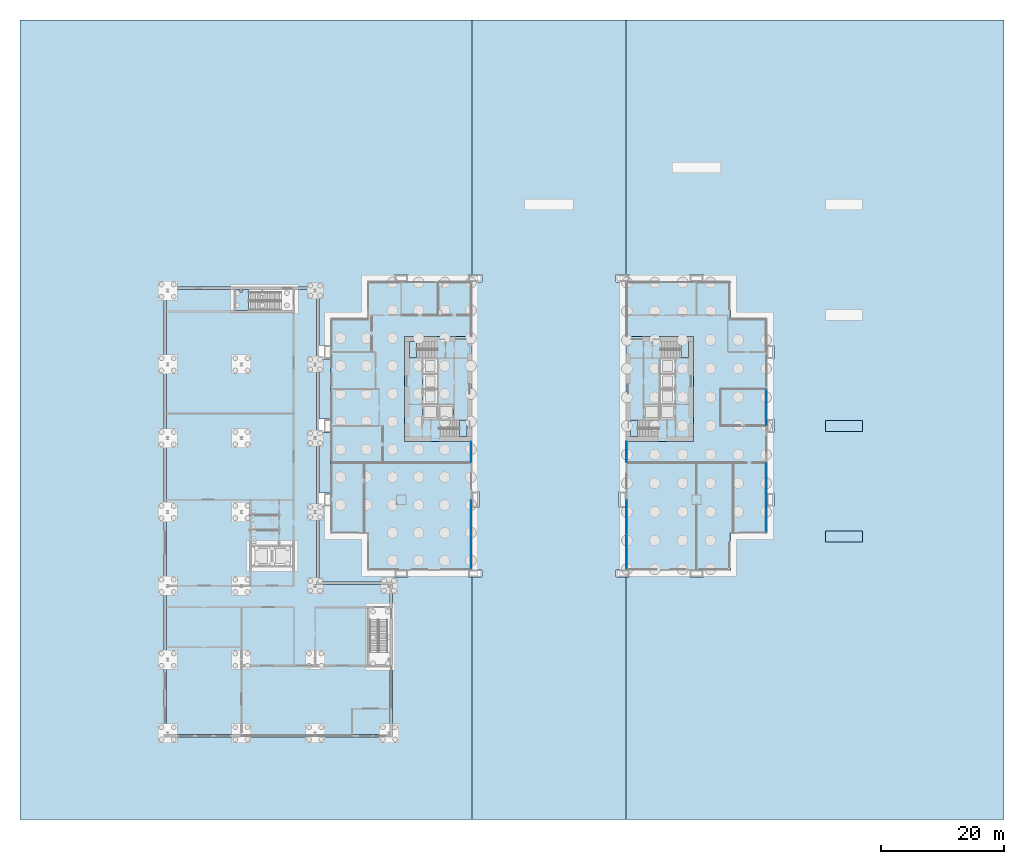
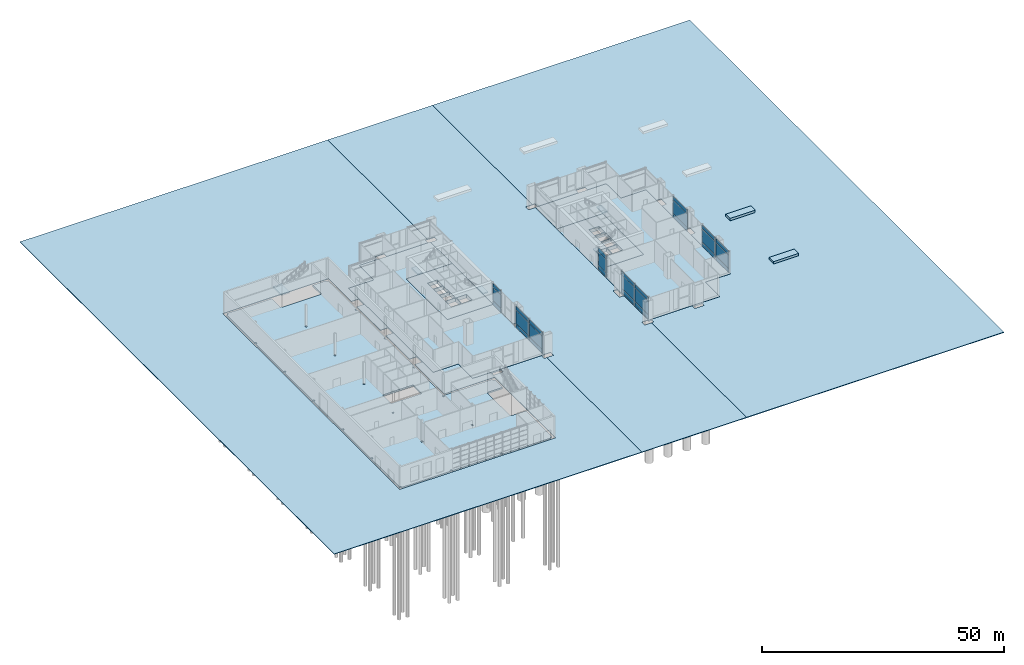
# One storey, part 16 of 29: 27 plates, 17 slabs, 11 elements without a shape of their own.
"""IFC4 building model written with IfcOpenShell, lengths in metres."""

from ifc_helpers import new_model, si_unit, direction, frame, origin, origin_2d, place, context, subcontext, project, spatial, polyline, rectangle, outline, extrude, material, layer, layer_set, type_object, element, aggregate, save


model = new_model("IFC4")

# Units and contexts
model_context = context("Model", 3, precision=1e-05, world=origin(), true_north=direction((0.0, 1.0)))
body_context = subcontext(model_context, "Body", "Model", "MODEL_VIEW")
ifc_project = project(units=[si_unit("LENGTHUNIT", "METRE"), si_unit("AREAUNIT", "SQUARE_METRE"), si_unit("VOLUMEUNIT", "CUBIC_METRE"), si_unit("PLANEANGLEUNIT", "RADIAN"), si_unit("MASSUNIT", "GRAM", prefix="KILO")], contexts=[model_context])

# Site, building, storey
site_placement = place(None, origin())
site = spatial("IfcSite", under=ifc_project, at=site_placement, CompositionType="ELEMENT")
building_placement = place(site_placement, origin())
building = spatial("IfcBuilding", under=site, at=building_placement, Name="Kitamizu Gate Tower and Museum", CompositionType="ELEMENT")
storey_placement = place(building_placement, origin())
storey = spatial("IfcBuildingStorey", under=building, at=storey_placement, Name="L00", CompositionType="ELEMENT", Elevation=0.0)

# Slabs
ifc_material_1 = material(Name="Concrete Fc60", Category="concrete")
ifc_layer_1 = layer(ifc_material_1, 0.89990234375)
ifc_layer_set_1 = layer_set([ifc_layer_1], Name="Concrete Fc60")
slab_type_1 = type_object("IfcSlabType", Name="Core ground slab 900", PredefinedType="FLOOR", material=ifc_layer_set_1)
slab_1_placement = place(storey_placement, frame((0.0, 0.0, -0.89990234375)))
element("IfcSlab", 1, at=slab_1_placement, inside=storey, type_object=slab_type_1, Name="Core ground slab W", PredefinedType="FLOOR", context=body_context, shape_type="SweptSolid", body=[
    extrude(outline(polyline([(12.5, 21.5), (23.5, 21.5), (23.5, 38.5), (12.5, 38.5), (12.5, 21.5)]), holes=[polyline([(15.5, 25.10009765625), (17.89990234375, 25.10009765625), (17.89990234375, 27.39990234375), (15.5, 27.39990234375), (15.5, 25.10009765625)]), polyline([(15.5, 27.60009765625), (17.89990234375, 27.60009765625), (17.89990234375, 29.89990234375), (15.5, 29.89990234375), (15.5, 27.60009765625)]), polyline([(15.5, 30.10009765625), (17.89990234375, 30.10009765625), (17.89990234375, 32.39990234375), (15.5, 32.39990234375), (15.5, 30.10009765625)]), polyline([(15.5, 32.60009765625), (17.89990234375, 32.60009765625), (17.89990234375, 34.89990234375), (15.5, 34.89990234375), (15.5, 32.60009765625)]), polyline([(18.10009765625, 25.10009765625), (20.5, 25.10009765625), (20.5, 27.39990234375), (18.10009765625, 27.39990234375), (18.10009765625, 25.10009765625)])]), origin(), (0.0, 0.0, 1.0), 0.89990234375),
])
slab_2_placement = place(storey_placement, frame((0.0, 0.0, -0.89990234375)))
element("IfcSlab", 2, at=slab_2_placement, inside=storey, type_object=slab_type_1, Name="Core ground slab E", PredefinedType="FLOOR", context=body_context, shape_type="SweptSolid", body=[
    extrude(outline(polyline([(48.5, 21.5), (59.5, 21.5), (59.5, 38.5), (48.5, 38.5), (48.5, 21.5)]), holes=[polyline([(54.10009765625, 25.10009765625), (56.5, 25.10009765625), (56.5, 27.39990234375), (54.10009765625, 27.39990234375), (54.10009765625, 25.10009765625)]), polyline([(54.10009765625, 27.60009765625), (56.5, 27.60009765625), (56.5, 29.89990234375), (54.10009765625, 29.89990234375), (54.10009765625, 27.60009765625)]), polyline([(54.10009765625, 30.10009765625), (56.5, 30.10009765625), (56.5, 32.39990234375), (54.10009765625, 32.39990234375), (54.10009765625, 30.10009765625)]), polyline([(54.10009765625, 32.60009765625), (56.5, 32.60009765625), (56.5, 34.89990234375), (54.10009765625, 34.89990234375), (54.10009765625, 32.60009765625)]), polyline([(51.5, 25.10009765625), (53.89990234375, 25.10009765625), (53.89990234375, 27.39990234375), (51.5, 27.39990234375), (51.5, 25.10009765625)])]), origin(), (0.0, 0.0, 1.0), 0.89990234375),
])

# Curtain wall, plates
ifc_material_2 = material(Name="Bronze anodised aluminium frame, tinted triple glazing", Category="aluminium")
curtain_wall_type = type_object("IfcCurtainWallType", Name="CURTAIN WALL TYPE A PODIUM", PredefinedType="NOTDEFINED", material=ifc_material_2)
curtain_wall_1_placement = place(storey_placement, origin())
curtain_wall_1 = element("IfcCurtainWall", 3, at=curtain_wall_1_placement, inside=storey, type_object=curtain_wall_type, Name="Curtain wall CW-A east L00", PredefinedType="NOTDEFINED")
ifc_material_3 = material(Name="Tinted insulating glass", Category="glass")
ifc_layer_2 = layer(ifc_material_3, 0.035888671875)
ifc_layer_set_2 = layer_set([ifc_layer_2], Name="Tinted insulating glass")
plate_type = type_object("IfcPlateType", Name="GLASS PANEL 36 TYPE A", PredefinedType="CURTAIN_PANEL", material=ifc_layer_set_2)
plate_1_placement = place(storey_placement, frame((23.364990234375, 3.554931640625, 0.080078125), z_axis=(0.0, 0.0, 1.0), x_axis=(0.0, 1.0, 0.0)))
plate_1 = element("IfcPlate", 4, at=plate_1_placement, type_object=plate_type, Name="CW-A panel 1.1", PredefinedType="CURTAIN_PANEL", context=body_context, shape_type="SweptSolid", body=[
    extrude(rectangle(XDim=5.510009765625, YDim=0.035888671875, at=origin_2d()), origin(), (0.0, 0.0, 1.0), 0.97998046875),
])
plate_2_placement = place(storey_placement, frame((23.364990234375, 3.554931640625, 1.14013671875), z_axis=(0.0, 0.0, 1.0), x_axis=(0.0, 1.0, 0.0)))
plate_2 = element("IfcPlate", 5, at=plate_2_placement, type_object=plate_type, Name="CW-A panel 1.2", PredefinedType="CURTAIN_PANEL", context=body_context, shape_type="SweptSolid", body=[
    extrude(rectangle(XDim=5.510009765625, YDim=0.035888671875, at=origin_2d()), origin(), (0.0, 0.0, 1.0), 3.320068359375),
])
plate_3_placement = place(storey_placement, frame((23.364990234375, 3.554931640625, 4.5400390625), z_axis=(0.0, 0.0, 1.0), x_axis=(0.0, 1.0, 0.0)))
plate_3 = element("IfcPlate", 6, at=plate_3_placement, type_object=plate_type, Name="CW-A panel 1.3", PredefinedType="CURTAIN_PANEL", context=body_context, shape_type="SweptSolid", body=[
    extrude(rectangle(XDim=5.510009765625, YDim=0.035888671875, at=origin_2d()), origin(), (0.0, 0.0, 1.0), 0.97998046875),
])
plate_4_placement = place(storey_placement, frame((23.364990234375, 9.155029296875, 0.080078125), z_axis=(0.0, 0.0, 1.0), x_axis=(0.0, 1.0, 0.0)))
plate_4 = element("IfcPlate", 7, at=plate_4_placement, type_object=plate_type, Name="CW-A panel 2.1", PredefinedType="CURTAIN_PANEL", context=body_context, shape_type="SweptSolid", body=[
    extrude(rectangle(XDim=5.510009765625, YDim=0.035888671875, at=origin_2d()), origin(), (0.0, 0.0, 1.0), 0.97998046875),
])
plate_5_placement = place(storey_placement, frame((23.364990234375, 9.155029296875, 1.14013671875), z_axis=(0.0, 0.0, 1.0), x_axis=(0.0, 1.0, 0.0)))
plate_5 = element("IfcPlate", 8, at=plate_5_placement, type_object=plate_type, Name="CW-A panel 2.2", PredefinedType="CURTAIN_PANEL", context=body_context, shape_type="SweptSolid", body=[
    extrude(rectangle(XDim=5.510009765625, YDim=0.035888671875, at=origin_2d()), origin(), (0.0, 0.0, 1.0), 3.320068359375),
])
plate_6_placement = place(storey_placement, frame((23.364990234375, 9.155029296875, 4.5400390625), z_axis=(0.0, 0.0, 1.0), x_axis=(0.0, 1.0, 0.0)))
plate_6 = element("IfcPlate", 9, at=plate_6_placement, type_object=plate_type, Name="CW-A panel 2.3", PredefinedType="CURTAIN_PANEL", context=body_context, shape_type="SweptSolid", body=[
    extrude(rectangle(XDim=5.510009765625, YDim=0.035888671875, at=origin_2d()), origin(), (0.0, 0.0, 1.0), 0.97998046875),
])
aggregate(curtain_wall_1, [plate_1, plate_2, plate_3, plate_4, plate_5, plate_6])

curtain_wall_2_placement = place(storey_placement, origin())
curtain_wall_2 = element("IfcCurtainWall", 10, at=curtain_wall_2_placement, inside=storey, type_object=curtain_wall_type, Name="Curtain wall CW-A east L00", PredefinedType="NOTDEFINED")
plate_7_placement = place(storey_placement, frame((23.364990234375, 19.75, 0.080078125), z_axis=(0.0, 0.0, 1.0), x_axis=(0.0, 1.0, 0.0)))
plate_7 = element("IfcPlate", 11, at=plate_7_placement, type_object=plate_type, Name="CW-A panel 1.1", PredefinedType="CURTAIN_PANEL", context=body_context, shape_type="SweptSolid", body=[
    extrude(rectangle(XDim=3.320068359375, YDim=0.035888671875, at=origin_2d()), origin(), (0.0, 0.0, 1.0), 0.97998046875),
])
plate_8_placement = place(storey_placement, frame((23.364990234375, 19.75, 1.14013671875), z_axis=(0.0, 0.0, 1.0), x_axis=(0.0, 1.0, 0.0)))
plate_8 = element("IfcPlate", 12, at=plate_8_placement, type_object=plate_type, Name="CW-A panel 1.2", PredefinedType="CURTAIN_PANEL", context=body_context, shape_type="SweptSolid", body=[
    extrude(rectangle(XDim=3.320068359375, YDim=0.035888671875, at=origin_2d()), origin(), (0.0, 0.0, 1.0), 3.320068359375),
])
plate_9_placement = place(storey_placement, frame((23.364990234375, 19.75, 4.5400390625), z_axis=(0.0, 0.0, 1.0), x_axis=(0.0, 1.0, 0.0)))
plate_9 = element("IfcPlate", 13, at=plate_9_placement, type_object=plate_type, Name="CW-A panel 1.3", PredefinedType="CURTAIN_PANEL", context=body_context, shape_type="SweptSolid", body=[
    extrude(rectangle(XDim=3.320068359375, YDim=0.035888671875, at=origin_2d()), origin(), (0.0, 0.0, 1.0), 0.97998046875),
])
aggregate(curtain_wall_2, [plate_7, plate_8, plate_9])

curtain_wall_3_placement = place(storey_placement, origin())
curtain_wall_3 = element("IfcCurtainWall", 14, at=curtain_wall_3_placement, inside=storey, type_object=curtain_wall_type, Name="Curtain wall CW-A west L00", PredefinedType="NOTDEFINED")
plate_10_placement = place(storey_placement, frame((48.635009765625, 3.554931640625, 0.080078125), z_axis=(0.0, 0.0, 1.0), x_axis=(0.0, 1.0, 0.0)))
plate_10 = element("IfcPlate", 15, at=plate_10_placement, type_object=plate_type, Name="CW-A panel 1.1", PredefinedType="CURTAIN_PANEL", context=body_context, shape_type="SweptSolid", body=[
    extrude(rectangle(XDim=5.510009765625, YDim=0.035888671875, at=origin_2d()), origin(), (0.0, 0.0, 1.0), 0.97998046875),
])
plate_11_placement = place(storey_placement, frame((48.635009765625, 3.554931640625, 1.14013671875), z_axis=(0.0, 0.0, 1.0), x_axis=(0.0, 1.0, 0.0)))
plate_11 = element("IfcPlate", 16, at=plate_11_placement, type_object=plate_type, Name="CW-A panel 1.2", PredefinedType="CURTAIN_PANEL", context=body_context, shape_type="SweptSolid", body=[
    extrude(rectangle(XDim=5.510009765625, YDim=0.035888671875, at=origin_2d()), origin(), (0.0, 0.0, 1.0), 3.320068359375),
])
plate_12_placement = place(storey_placement, frame((48.635009765625, 3.554931640625, 4.5400390625), z_axis=(0.0, 0.0, 1.0), x_axis=(0.0, 1.0, 0.0)))
plate_12 = element("IfcPlate", 17, at=plate_12_placement, type_object=plate_type, Name="CW-A panel 1.3", PredefinedType="CURTAIN_PANEL", context=body_context, shape_type="SweptSolid", body=[
    extrude(rectangle(XDim=5.510009765625, YDim=0.035888671875, at=origin_2d()), origin(), (0.0, 0.0, 1.0), 0.97998046875),
])
plate_13_placement = place(storey_placement, frame((48.635009765625, 9.155029296875, 0.080078125), z_axis=(0.0, 0.0, 1.0), x_axis=(0.0, 1.0, 0.0)))
plate_13 = element("IfcPlate", 18, at=plate_13_placement, type_object=plate_type, Name="CW-A panel 2.1", PredefinedType="CURTAIN_PANEL", context=body_context, shape_type="SweptSolid", body=[
    extrude(rectangle(XDim=5.510009765625, YDim=0.035888671875, at=origin_2d()), origin(), (0.0, 0.0, 1.0), 0.97998046875),
])
plate_14_placement = place(storey_placement, frame((48.635009765625, 9.155029296875, 1.14013671875), z_axis=(0.0, 0.0, 1.0), x_axis=(0.0, 1.0, 0.0)))
plate_14 = element("IfcPlate", 19, at=plate_14_placement, type_object=plate_type, Name="CW-A panel 2.2", PredefinedType="CURTAIN_PANEL", context=body_context, shape_type="SweptSolid", body=[
    extrude(rectangle(XDim=5.510009765625, YDim=0.035888671875, at=origin_2d()), origin(), (0.0, 0.0, 1.0), 3.320068359375),
])
plate_15_placement = place(storey_placement, frame((48.635009765625, 9.155029296875, 4.5400390625), z_axis=(0.0, 0.0, 1.0), x_axis=(0.0, 1.0, 0.0)))
plate_15 = element("IfcPlate", 20, at=plate_15_placement, type_object=plate_type, Name="CW-A panel 2.3", PredefinedType="CURTAIN_PANEL", context=body_context, shape_type="SweptSolid", body=[
    extrude(rectangle(XDim=5.510009765625, YDim=0.035888671875, at=origin_2d()), origin(), (0.0, 0.0, 1.0), 0.97998046875),
])
aggregate(curtain_wall_3, [plate_10, plate_11, plate_12, plate_13, plate_14, plate_15])

curtain_wall_4_placement = place(storey_placement, origin())
curtain_wall_4 = element("IfcCurtainWall", 21, at=curtain_wall_4_placement, inside=storey, type_object=curtain_wall_type, Name="Curtain wall CW-A west L00", PredefinedType="NOTDEFINED")
plate_16_placement = place(storey_placement, frame((48.635009765625, 19.75, 0.080078125), z_axis=(0.0, 0.0, 1.0), x_axis=(0.0, 1.0, 0.0)))
plate_16 = element("IfcPlate", 22, at=plate_16_placement, type_object=plate_type, Name="CW-A panel 1.1", PredefinedType="CURTAIN_PANEL", context=body_context, shape_type="SweptSolid", body=[
    extrude(rectangle(XDim=3.320068359375, YDim=0.035888671875, at=origin_2d()), origin(), (0.0, 0.0, 1.0), 0.97998046875),
])
plate_17_placement = place(storey_placement, frame((48.635009765625, 19.75, 1.14013671875), z_axis=(0.0, 0.0, 1.0), x_axis=(0.0, 1.0, 0.0)))
plate_17 = element("IfcPlate", 23, at=plate_17_placement, type_object=plate_type, Name="CW-A panel 1.2", PredefinedType="CURTAIN_PANEL", context=body_context, shape_type="SweptSolid", body=[
    extrude(rectangle(XDim=3.320068359375, YDim=0.035888671875, at=origin_2d()), origin(), (0.0, 0.0, 1.0), 3.320068359375),
])
plate_18_placement = place(storey_placement, frame((48.635009765625, 19.75, 4.5400390625), z_axis=(0.0, 0.0, 1.0), x_axis=(0.0, 1.0, 0.0)))
plate_18 = element("IfcPlate", 24, at=plate_18_placement, type_object=plate_type, Name="CW-A panel 1.3", PredefinedType="CURTAIN_PANEL", context=body_context, shape_type="SweptSolid", body=[
    extrude(rectangle(XDim=3.320068359375, YDim=0.035888671875, at=origin_2d()), origin(), (0.0, 0.0, 1.0), 0.97998046875),
])
aggregate(curtain_wall_4, [plate_16, plate_17, plate_18])

curtain_wall_5_placement = place(storey_placement, origin())
curtain_wall_5 = element("IfcCurtainWall", 25, at=curtain_wall_5_placement, inside=storey, type_object=curtain_wall_type, Name="Curtain wall CW-A east L00", PredefinedType="NOTDEFINED")
plate_19_placement = place(storey_placement, frame((71.364990234375, 9.554931640625, 0.080078125), z_axis=(0.0, 0.0, 1.0), x_axis=(0.0, 1.0, 0.0)))
plate_19 = element("IfcPlate", 26, at=plate_19_placement, type_object=plate_type, Name="CW-A panel 1.1", PredefinedType="CURTAIN_PANEL", context=body_context, shape_type="SweptSolid", body=[
    extrude(rectangle(XDim=5.510009765625, YDim=0.035888671875, at=origin_2d()), origin(), (0.0, 0.0, 1.0), 0.97998046875),
])
plate_20_placement = place(storey_placement, frame((71.364990234375, 9.554931640625, 1.14013671875), z_axis=(0.0, 0.0, 1.0), x_axis=(0.0, 1.0, 0.0)))
plate_20 = element("IfcPlate", 27, at=plate_20_placement, type_object=plate_type, Name="CW-A panel 1.2", PredefinedType="CURTAIN_PANEL", context=body_context, shape_type="SweptSolid", body=[
    extrude(rectangle(XDim=5.510009765625, YDim=0.035888671875, at=origin_2d()), origin(), (0.0, 0.0, 1.0), 3.320068359375),
])
plate_21_placement = place(storey_placement, frame((71.364990234375, 9.554931640625, 4.5400390625), z_axis=(0.0, 0.0, 1.0), x_axis=(0.0, 1.0, 0.0)))
plate_21 = element("IfcPlate", 28, at=plate_21_placement, type_object=plate_type, Name="CW-A panel 1.3", PredefinedType="CURTAIN_PANEL", context=body_context, shape_type="SweptSolid", body=[
    extrude(rectangle(XDim=5.510009765625, YDim=0.035888671875, at=origin_2d()), origin(), (0.0, 0.0, 1.0), 0.97998046875),
])
plate_22_placement = place(storey_placement, frame((71.364990234375, 15.155029296875, 0.080078125), z_axis=(0.0, 0.0, 1.0), x_axis=(0.0, 1.0, 0.0)))
plate_22 = element("IfcPlate", 29, at=plate_22_placement, type_object=plate_type, Name="CW-A panel 2.1", PredefinedType="CURTAIN_PANEL", context=body_context, shape_type="SweptSolid", body=[
    extrude(rectangle(XDim=5.510009765625, YDim=0.035888671875, at=origin_2d()), origin(), (0.0, 0.0, 1.0), 0.97998046875),
])
plate_23_placement = place(storey_placement, frame((71.364990234375, 15.155029296875, 1.14013671875), z_axis=(0.0, 0.0, 1.0), x_axis=(0.0, 1.0, 0.0)))
plate_23 = element("IfcPlate", 30, at=plate_23_placement, type_object=plate_type, Name="CW-A panel 2.2", PredefinedType="CURTAIN_PANEL", context=body_context, shape_type="SweptSolid", body=[
    extrude(rectangle(XDim=5.510009765625, YDim=0.035888671875, at=origin_2d()), origin(), (0.0, 0.0, 1.0), 3.320068359375),
])
plate_24_placement = place(storey_placement, frame((71.364990234375, 15.155029296875, 4.5400390625), z_axis=(0.0, 0.0, 1.0), x_axis=(0.0, 1.0, 0.0)))
plate_24 = element("IfcPlate", 31, at=plate_24_placement, type_object=plate_type, Name="CW-A panel 2.3", PredefinedType="CURTAIN_PANEL", context=body_context, shape_type="SweptSolid", body=[
    extrude(rectangle(XDim=5.510009765625, YDim=0.035888671875, at=origin_2d()), origin(), (0.0, 0.0, 1.0), 0.97998046875),
])
aggregate(curtain_wall_5, [plate_19, plate_20, plate_21, plate_22, plate_23, plate_24])

curtain_wall_6_placement = place(storey_placement, origin())
curtain_wall_6 = element("IfcCurtainWall", 32, at=curtain_wall_6_placement, inside=storey, type_object=curtain_wall_type, Name="Curtain wall CW-A east L00", PredefinedType="NOTDEFINED")
plate_25_placement = place(storey_placement, frame((71.364990234375, 27.0, 0.080078125), z_axis=(0.0, 0.0, 1.0), x_axis=(0.0, 1.0, 0.0)))
plate_25 = element("IfcPlate", 33, at=plate_25_placement, type_object=plate_type, Name="CW-A panel 1.1", PredefinedType="CURTAIN_PANEL", context=body_context, shape_type="SweptSolid", body=[
    extrude(rectangle(XDim=5.820068359375, YDim=0.035888671875, at=origin_2d()), origin(), (0.0, 0.0, 1.0), 0.97998046875),
])
plate_26_placement = place(storey_placement, frame((71.364990234375, 27.0, 1.14013671875), z_axis=(0.0, 0.0, 1.0), x_axis=(0.0, 1.0, 0.0)))
plate_26 = element("IfcPlate", 34, at=plate_26_placement, type_object=plate_type, Name="CW-A panel 1.2", PredefinedType="CURTAIN_PANEL", context=body_context, shape_type="SweptSolid", body=[
    extrude(rectangle(XDim=5.820068359375, YDim=0.035888671875, at=origin_2d()), origin(), (0.0, 0.0, 1.0), 3.320068359375),
])
plate_27_placement = place(storey_placement, frame((71.364990234375, 27.0, 4.5400390625), z_axis=(0.0, 0.0, 1.0), x_axis=(0.0, 1.0, 0.0)))
plate_27 = element("IfcPlate", 35, at=plate_27_placement, type_object=plate_type, Name="CW-A panel 1.3", PredefinedType="CURTAIN_PANEL", context=body_context, shape_type="SweptSolid", body=[
    extrude(rectangle(XDim=5.820068359375, YDim=0.035888671875, at=origin_2d()), origin(), (0.0, 0.0, 1.0), 0.97998046875),
])
aggregate(curtain_wall_6, [plate_25, plate_26, plate_27])

# Slabs
ifc_material_4 = material(Name="Concrete Fc36", Category="concrete")
ifc_layer_3 = layer(ifc_material_4, 0.39990234375)
ifc_layer_set_3 = layer_set([ifc_layer_3], Name="Concrete Fc36")
slab_type_2 = type_object("IfcSlabType", Name="Ground floor slab 400", PredefinedType="BASESLAB", material=ifc_layer_set_3)
slab_3_placement = place(storey_placement, frame((0.0, 0.0, -0.39990234375)))
element("IfcSlab", 36, at=slab_3_placement, inside=storey, type_object=slab_type_2, Name="Floor slab L00-1", PredefinedType="BASESLAB", context=body_context, shape_type="SweptSolid", body=[
    extrude(outline(polyline([(0.5, 41.5), (6.5, 41.5), (6.5, 47.5), (23.5, 47.5), (23.5, 38.5), (12.5, 38.5), (12.5, 21.5), (23.5, 21.5), (23.5, 0.5), (6.5, 0.5), (6.5, 6.5), (0.5, 6.5), (0.5, 41.5)])), origin(), (0.0, 0.0, 1.0), 0.39990234375),
])
slab_4_placement = place(storey_placement, frame((0.0, 0.0, -0.39990234375)))
element("IfcSlab", 37, at=slab_4_placement, inside=storey, type_object=slab_type_2, Name="Floor slab L00-2", PredefinedType="BASESLAB", context=body_context, shape_type="SweptSolid", body=[
    extrude(outline(polyline([(65.5, 41.5), (71.5, 41.5), (71.5, 6.5), (65.5, 6.5), (65.5, 0.5), (48.5, 0.5), (48.5, 21.5), (59.5, 21.5), (59.5, 38.5), (48.5, 38.5), (48.5, 47.5), (65.5, 47.5), (65.5, 41.5)])), origin(), (0.0, 0.0, 1.0), 0.39990234375),
])
ifc_material_5 = material(Name="Concrete Fc30", Category="concrete")
ifc_layer_4 = layer(ifc_material_5, 0.39990234375)
ifc_layer_set_4 = layer_set([ifc_layer_4], Name="Concrete Fc30")
slab_type_3 = type_object("IfcSlabType", Name="Museum ground slab 400", PredefinedType="BASESLAB", material=ifc_layer_set_4)
slab_5_placement = place(storey_placement, frame((0.0, 0.0, -0.39990234375)))
element("IfcSlab", 38, at=slab_5_placement, inside=storey, type_object=slab_type_3, Name="Floor slab L00.1", PredefinedType="BASESLAB", context=body_context, shape_type="SweptSolid", body=[
    extrude(outline(polyline([(-14.875, 42.72509765625), (-14.875, 42.47509765625), (-5.375, 42.47509765625), (-5.375, 42.72509765625), (-5.375, 46.199951171875), (-2.200439453125, 46.199951171875), (-2.200439453125, 45.799560546875), (-1.800048828125, 45.799560546875), (-1.800048828125, 34.200439453125), (-2.200439453125, 34.200439453125), (-2.200439453125, 33.799560546875), (-1.800048828125, 33.799560546875), (-1.800048828125, 22.200439453125), (-2.200439453125, 22.200439453125), (-2.200439453125, 21.799560546875), (-1.800048828125, 21.799560546875), (-1.800048828125, 10.200439453125), (-2.200439453125, 10.200439453125), (-2.200439453125, 9.799560546875), (-1.800048828125, 9.799560546875), (-1.800048828125, -1.799560546875), (-2.200439453125, -1.799560546875), (-2.200439453125, -2.200439453125), (-1.799560546875, -2.200439453125), (-1.799560546875, -1.800048828125), (9.799560546875, -1.800048828125), (9.799560546875, -2.200439453125), (10.199951171875, -2.200439453125), (10.199951171875, -5.375), (6.72509765625, -5.375), (6.72509765625, -5.625), (6.47509765625, -5.625), (6.47509765625, -14.875), (6.72509765625, -14.875), (6.72509765625, -15.125), (10.199951171875, -15.125), (10.199951171875, -25.799560546875), (9.799560546875, -25.799560546875), (9.799560546875, -26.199951171875), (-1.799560546875, -26.199951171875), (-1.799560546875, -25.799560546875), (-2.200439453125, -25.799560546875), (-2.200439453125, -26.199951171875), (-13.799560546875, -26.199951171875), (-13.799560546875, -25.799560546875), (-14.200439453125, -25.799560546875), (-14.200439453125, -26.199951171875), (-25.799560546875, -26.199951171875), (-25.799560546875, -25.799560546875), (-26.199951171875, -25.799560546875), (-26.199951171875, -14.200439453125), (-25.799560546875, -14.200439453125), (-25.799560546875, -13.799560546875), (-26.199951171875, -13.799560546875), (-26.199951171875, -2.200439453125), (-25.799560546875, -2.200439453125), (-25.799560546875, -1.799560546875), (-26.199951171875, -1.799560546875), (-26.199951171875, 9.799560546875), (-25.799560546875, 9.799560546875), (-25.799560546875, 10.200439453125), (-26.199951171875, 10.200439453125), (-26.199951171875, 21.799560546875), (-25.799560546875, 21.799560546875), (-25.799560546875, 22.200439453125), (-26.199951171875, 22.200439453125), (-26.199951171875, 33.799560546875), (-25.799560546875, 33.799560546875), (-25.799560546875, 34.200439453125), (-26.199951171875, 34.200439453125), (-26.199951171875, 45.799560546875), (-25.799560546875, 45.799560546875), (-25.799560546875, 46.199951171875), (-15.125, 46.199951171875), (-15.125, 42.72509765625), (-14.875, 42.72509765625)]), holes=[polyline([(-2.200439453125, -13.799560546875), (-2.200439453125, -14.200439453125), (-1.799560546875, -14.200439453125), (-1.799560546875, -13.799560546875), (-2.200439453125, -13.799560546875)]), polyline([(-8.875, 1.074951171875), (-5.375, 1.074951171875), (-5.375, 1.324951171875), (-5.375, 4.375), (-5.375, 4.625), (-8.0, 4.625), (-8.875, 4.625), (-12.625, 4.625), (-12.625, 4.375), (-12.625, 1.324951171875), (-12.625, 1.074951171875), (-8.875, 1.074951171875)]), polyline([(-14.200439453125, -14.200439453125), (-13.799560546875, -14.200439453125), (-13.799560546875, -13.799560546875), (-14.200439453125, -13.799560546875), (-14.200439453125, -14.200439453125)]), polyline([(-14.200439453125, -2.200439453125), (-13.799560546875, -2.200439453125), (-13.799560546875, -1.799560546875), (-14.200439453125, -1.799560546875), (-14.200439453125, -2.200439453125)]), polyline([(-14.200439453125, 10.200439453125), (-14.200439453125, 9.799560546875), (-13.799560546875, 9.799560546875), (-13.799560546875, 10.200439453125), (-14.200439453125, 10.200439453125)]), polyline([(-14.200439453125, 22.200439453125), (-14.200439453125, 21.799560546875), (-13.799560546875, 21.799560546875), (-13.799560546875, 22.200439453125), (-14.200439453125, 22.200439453125)]), polyline([(-14.200439453125, 33.799560546875), (-13.799560546875, 33.799560546875), (-13.799560546875, 34.200439453125), (-14.200439453125, 34.200439453125), (-14.200439453125, 33.799560546875)])]), origin(), (0.0, 0.0, 1.0), 0.39990234375),
])

# Stair, slab
ifc_material_6 = material(Name="Concrete Fc30", Category="concrete")
stair_type_1 = type_object("IfcStairType", Name="Museum stair 40 risers", PredefinedType="HALF_TURN_STAIR", material=ifc_material_6)
stair_1_placement = place(storey_placement, origin())
stair_1 = element("IfcStair", 39, at=stair_1_placement, inside=storey, type_object=stair_type_1, Name="Exit stair N", PredefinedType="HALF_TURN_STAIR")
ifc_material_7 = material(Name="Concrete Fc30", Category="concrete")
ifc_layer_5 = layer(ifc_material_7, 0.300048828125)
ifc_layer_set_5 = layer_set([ifc_layer_5], Name="Concrete Fc30")
slab_type_4 = type_object("IfcSlabType", Name="Museum stair landing 300", PredefinedType="LANDING", material=ifc_layer_set_5)
slab_6_placement = place(storey_placement, frame((0.0, 0.0, 2.699951171875)))
slab_6 = element("IfcSlab", 40, at=slab_6_placement, type_object=slab_type_4, Name="MST2 landing 1", PredefinedType="LANDING", context=body_context, shape_type="SweptSolid", body=[
    extrude(outline(polyline([(-12.820068359375, 46.199951171875), (-12.820068359375, 42.72509765625), (-14.875, 42.72509765625), (-14.875, 46.199951171875), (-14.199951171875, 46.199951171875), (-14.199951171875, 45.800048828125), (-13.800048828125, 45.800048828125), (-13.800048828125, 46.199951171875), (-12.820068359375, 46.199951171875)])), origin(), (0.0, 0.0, 1.0), 0.300048828125),
])
aggregate(stair_1, [slab_6])

# Slabs
ifc_material_8 = material(Name="Granite paving", Category="masonry")
ifc_layer_6 = layer(ifc_material_8, 0.14990234375)
ifc_layer_set_6 = layer_set([ifc_layer_6], Name="Granite paving")
slab_type_5 = type_object("IfcSlabType", Name="PAVING 150", PredefinedType="USERDEFINED", material=ifc_layer_set_6)
slab_7_placement = place(storey_placement, frame((0.0, 0.0, -0.14990234375)))
element("IfcSlab", 41, at=slab_7_placement, inside=storey, type_object=slab_type_5, Name="Paving west plaza 1", ObjectType="PAVING", PredefinedType="USERDEFINED", context=body_context, shape_type="SweptSolid", body=[
    extrude(outline(polyline([(-50.0, -40.0), (-50.0, 90.0), (23.5, 90.0), (23.5, 48.60009765625), (22.89990234375, 48.60009765625), (22.89990234375, 47.5), (13.10009765625, 47.5), (13.10009765625, 48.60009765625), (10.89990234375, 48.60009765625), (10.89990234375, 47.5), (6.5, 47.5), (6.5, 41.5), (0.5, 41.5), (0.5, 37.10009765625), (-1.39990234375, 37.10009765625), (-1.39990234375, 46.60009765625), (-26.60009765625, 46.60009765625), (-26.60009765625, -26.60009765625), (10.60009765625, -26.60009765625), (10.60009765625, -1.39990234375), (-1.39990234375, -1.39990234375), (-1.39990234375, 10.89990234375), (0.5, 10.89990234375), (0.5, 6.5), (6.5, 6.5), (6.5, 0.5), (10.89990234375, 0.5), (10.89990234375, -0.60009765625), (13.10009765625, -0.60009765625), (13.10009765625, 0.5), (22.89990234375, 0.5), (22.89990234375, -0.60009765625), (23.5, -0.60009765625), (23.5, -40.0), (-50.0, -40.0)])), origin(), (0.0, 0.0, 1.0), 0.14990234375),
])
slab_8_placement = place(storey_placement, frame((0.0, 0.0, -0.14990234375)))
element("IfcSlab", 42, at=slab_8_placement, inside=storey, type_object=slab_type_5, Name="Paving west plaza 2", ObjectType="PAVING", PredefinedType="USERDEFINED", context=body_context, shape_type="SweptSolid", body=[
    extrude(outline(polyline([(-1.39990234375, 22.89990234375), (0.5, 22.89990234375), (0.5, 13.10009765625), (-1.39990234375, 13.10009765625), (-1.39990234375, 22.89990234375)])), origin(), (0.0, 0.0, 1.0), 0.14990234375),
])
slab_9_placement = place(storey_placement, frame((0.0, 0.0, -0.14990234375)))
element("IfcSlab", 43, at=slab_9_placement, inside=storey, type_object=slab_type_5, Name="Paving west plaza 3", ObjectType="PAVING", PredefinedType="USERDEFINED", context=body_context, shape_type="SweptSolid", body=[
    extrude(outline(polyline([(-1.39990234375, 34.89990234375), (0.5, 34.89990234375), (0.5, 25.10009765625), (-1.39990234375, 25.10009765625), (-1.39990234375, 34.89990234375)])), origin(), (0.0, 0.0, 1.0), 0.14990234375),
])
slab_10_placement = place(storey_placement, frame((0.0, 0.0, -0.14990234375)))
element("IfcSlab", 44, at=slab_10_placement, inside=storey, type_object=slab_type_5, Name="Paving street 4", ObjectType="PAVING", PredefinedType="USERDEFINED", context=body_context, shape_type="SweptSolid", body=[
    extrude(outline(polyline([(23.5, -40.0), (23.5, -0.60009765625), (25.10009765625, -0.60009765625), (25.10009765625, 0.60009765625), (23.5, 0.60009765625), (23.5, 10.699951171875), (24.60009765625, 10.699951171875), (24.60009765625, 13.300048828125), (23.5, 13.300048828125), (23.5, 47.39990234375), (25.10009765625, 47.39990234375), (25.10009765625, 48.60009765625), (23.5, 48.60009765625), (23.5, 90.0), (48.5, 90.0), (48.5, 48.60009765625), (46.89990234375, 48.60009765625), (46.89990234375, 47.39990234375), (48.5, 47.39990234375), (48.5, 13.300048828125), (47.39990234375, 13.300048828125), (47.39990234375, 10.699951171875), (48.5, 10.699951171875), (48.5, 0.60009765625), (46.89990234375, 0.60009765625), (46.89990234375, -0.60009765625), (48.5, -0.60009765625), (48.5, -40.0), (23.5, -40.0)])), origin(), (0.0, 0.0, 1.0), 0.14990234375),
])
slab_11_placement = place(storey_placement, frame((0.0, 0.0, -0.14990234375)))
element("IfcSlab", 45, at=slab_11_placement, inside=storey, type_object=slab_type_5, Name="Paving east plaza 5", ObjectType="PAVING", PredefinedType="USERDEFINED", context=body_context, shape_type="SweptSolid", body=[
    extrude(outline(polyline([(110.0, -40.0), (48.5, -40.0), (48.5, -0.60009765625), (49.10009765625, -0.60009765625), (49.10009765625, 0.5), (58.89990234375, 0.5), (58.89990234375, -0.60009765625), (61.10009765625, -0.60009765625), (61.10009765625, 0.5), (65.5, 0.5), (65.5, 6.5), (71.5, 6.5), (71.5, 10.89990234375), (72.60009765625, 10.89990234375), (72.60009765625, 13.10009765625), (71.5, 13.10009765625), (71.5, 22.89990234375), (72.60009765625, 22.89990234375), (72.60009765625, 25.10009765625), (71.5, 25.10009765625), (71.5, 34.89990234375), (72.60009765625, 34.89990234375), (72.60009765625, 37.10009765625), (71.5, 37.10009765625), (71.5, 41.5), (65.5, 41.5), (65.5, 47.5), (61.10009765625, 47.5), (61.10009765625, 48.60009765625), (58.89990234375, 48.60009765625), (58.89990234375, 47.5), (49.10009765625, 47.5), (49.10009765625, 48.60009765625), (48.5, 48.60009765625), (48.5, 90.0), (110.0, 90.0), (110.0, -40.0)])), origin(), (0.0, 0.0, 1.0), 0.14990234375),
])
ifc_material_9 = material(Name="Concrete Fc42", Category="concrete")
ifc_layer_7 = layer(ifc_material_9, 0.60009765625)
ifc_layer_set_7 = layer_set([ifc_layer_7], Name="Concrete Fc42")
slab_type_6 = type_object("IfcSlabType", Name="PLANTER 600", PredefinedType="USERDEFINED", material=ifc_layer_set_7)
slab_12_placement = place(storey_placement, origin())
element("IfcSlab", 46, at=slab_12_placement, inside=storey, type_object=slab_type_6, Name="Planter 1", ObjectType="PLANTER", PredefinedType="USERDEFINED", context=body_context, shape_type="SweptSolid", body=[
    extrude(outline(polyline([(87.0, 5.10009765625), (87.0, 6.89990234375), (81.0, 6.89990234375), (81.0, 5.10009765625), (87.0, 5.10009765625)])), origin(), (0.0, 0.0, 1.0), 0.60009765625),
])
slab_13_placement = place(storey_placement, origin())
element("IfcSlab", 47, at=slab_13_placement, inside=storey, type_object=slab_type_6, Name="Planter 2", ObjectType="PLANTER", PredefinedType="USERDEFINED", context=body_context, shape_type="SweptSolid", body=[
    extrude(outline(polyline([(87.0, 23.10009765625), (87.0, 24.89990234375), (81.0, 24.89990234375), (81.0, 23.10009765625), (87.0, 23.10009765625)])), origin(), (0.0, 0.0, 1.0), 0.60009765625),
])

# Stair, slab
ifc_material_10 = material(Name="Concrete Fc42", Category="concrete")
stair_type_2 = type_object("IfcStairType", Name="Exit stair 1200 wide 200 rise 243 going", PredefinedType="HALF_TURN_STAIR", material=ifc_material_10)
stair_2_placement = place(storey_placement, origin())
stair_2 = element("IfcStair", 48, at=stair_2_placement, inside=storey, type_object=stair_type_2, Name="Exit stair ST1", PredefinedType="HALF_TURN_STAIR")
ifc_material_11 = material(Name="Concrete Fc42", Category="concrete")
ifc_layer_8 = layer(ifc_material_11, 0.300048828125)
ifc_layer_set_8 = layer_set([ifc_layer_8], Name="Concrete Fc42")
slab_type_7 = type_object("IfcSlabType", Name="Stair landing 300", PredefinedType="LANDING", material=ifc_layer_set_8)
slab_14_placement = place(storey_placement, frame((0.0, 0.0, 2.699951171875)))
slab_14 = element("IfcSlab", 49, at=slab_14_placement, type_object=slab_type_7, Name="ST1 landing 1", PredefinedType="LANDING", context=body_context, shape_type="SweptSolid", body=[
    extrude(outline(polyline([(21.5, 22.300048828125), (22.699951171875, 22.300048828125), (22.699951171875, 24.89990234375), (21.5, 24.89990234375), (21.5, 22.300048828125)])), origin(), (0.0, 0.0, 1.0), 0.300048828125),
])
aggregate(stair_2, [slab_14])

stair_3_placement = place(storey_placement, origin())
stair_3 = element("IfcStair", 50, at=stair_3_placement, inside=storey, type_object=stair_type_2, Name="Exit stair ST2", PredefinedType="HALF_TURN_STAIR")
slab_15_placement = place(storey_placement, frame((0.0, 0.0, 2.699951171875)))
slab_15 = element("IfcSlab", 51, at=slab_15_placement, type_object=slab_type_7, Name="ST2 landing 1", PredefinedType="LANDING", context=body_context, shape_type="SweptSolid", body=[
    extrude(outline(polyline([(13.300048828125, 35.10009765625), (14.5, 35.10009765625), (14.5, 37.699951171875), (13.300048828125, 37.699951171875), (13.300048828125, 35.10009765625)])), origin(), (0.0, 0.0, 1.0), 0.300048828125),
])
aggregate(stair_3, [slab_15])

stair_4_placement = place(storey_placement, origin())
stair_4 = element("IfcStair", 52, at=stair_4_placement, inside=storey, type_object=stair_type_2, Name="Exit stair ST3", PredefinedType="HALF_TURN_STAIR")
slab_16_placement = place(storey_placement, frame((0.0, 0.0, 2.699951171875)))
slab_16 = element("IfcSlab", 53, at=slab_16_placement, type_object=slab_type_7, Name="ST3 landing 1", PredefinedType="LANDING", context=body_context, shape_type="SweptSolid", body=[
    extrude(outline(polyline([(49.300048828125, 22.300048828125), (50.5, 22.300048828125), (50.5, 24.89990234375), (49.300048828125, 24.89990234375), (49.300048828125, 22.300048828125)])), origin(), (0.0, 0.0, 1.0), 0.300048828125),
])
aggregate(stair_4, [slab_16])

stair_5_placement = place(storey_placement, origin())
stair_5 = element("IfcStair", 54, at=stair_5_placement, inside=storey, type_object=stair_type_2, Name="Exit stair ST4", PredefinedType="HALF_TURN_STAIR")
slab_17_placement = place(storey_placement, frame((0.0, 0.0, 2.699951171875)))
slab_17 = element("IfcSlab", 55, at=slab_17_placement, type_object=slab_type_7, Name="ST4 landing 1", PredefinedType="LANDING", context=body_context, shape_type="SweptSolid", body=[
    extrude(outline(polyline([(57.5, 35.10009765625), (58.699951171875, 35.10009765625), (58.699951171875, 37.699951171875), (57.5, 37.699951171875), (57.5, 35.10009765625)])), origin(), (0.0, 0.0, 1.0), 0.300048828125),
])
aggregate(stair_5, [slab_17])

save(model, "model.ifc")
